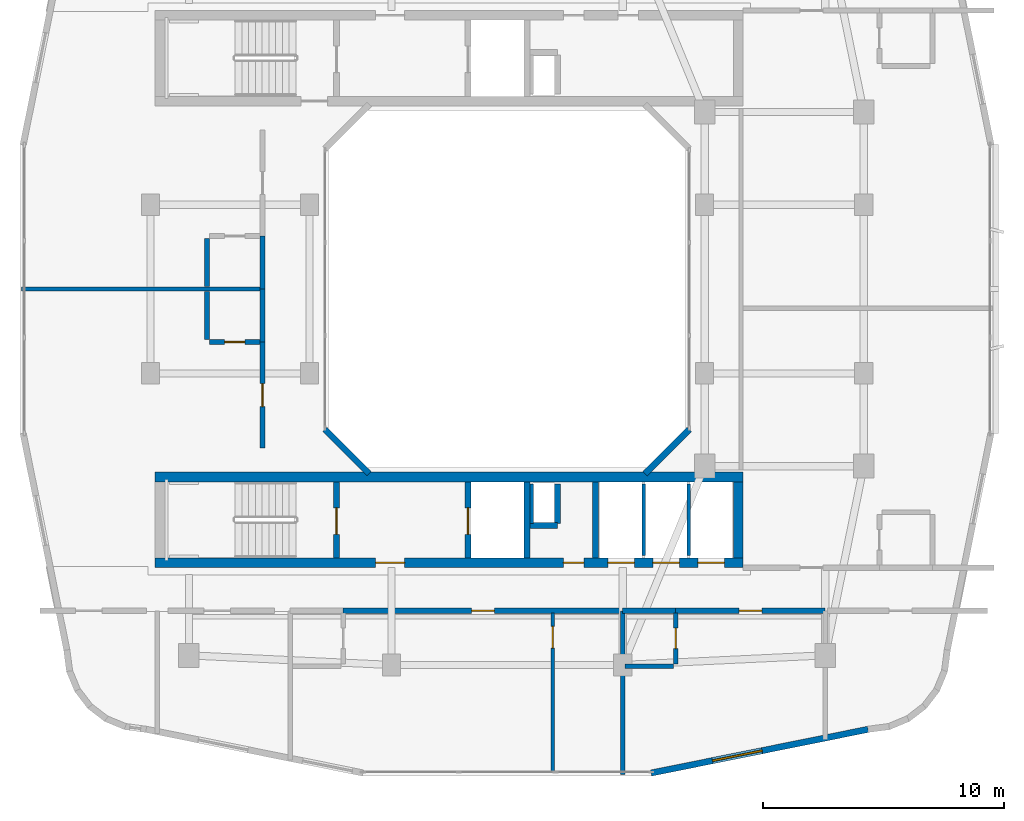
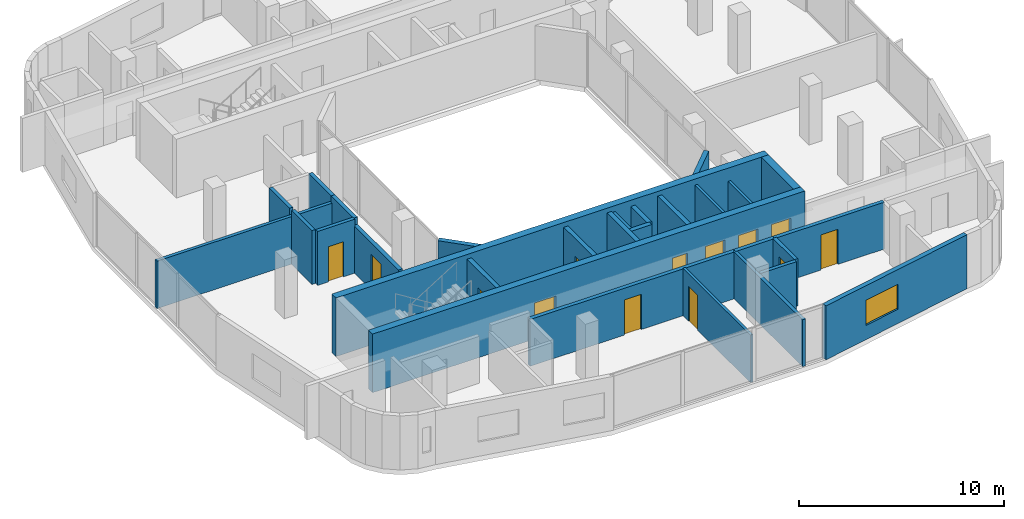
# One storey, part 7 of 14: 29 walls, 13 doors, 1 window, 14 openings.
"""IFC4 building model written with IfcOpenShell, lengths in metres."""

from ifc_helpers import new_model, si_unit, derived_unit, direction, frame, frame_2d, origin, place, context, subcontext, project, spatial, rectangle, extrude, material, layer, layer_set, type_object, element, fill, save


model = new_model("IFC4")

# Units and contexts
model_context = context("Model", 3, precision=1e-05, world=origin(), true_north=direction((0.0, 1.0)))
body_context = subcontext(model_context, "Body", "Model", "MODEL_VIEW")
ifc_project = project(units=[si_unit("LENGTHUNIT", "METRE"), si_unit("AREAUNIT", "SQUARE_METRE"), si_unit("VOLUMEUNIT", "CUBIC_METRE"), si_unit("PLANEANGLEUNIT", "RADIAN"), si_unit("MASSUNIT", "GRAM", prefix="KILO"), derived_unit("THERMALTRANSMITTANCEUNIT", [(si_unit("POWERUNIT", "WATT"), 1), (si_unit("LENGTHUNIT", "METRE"), -2), (si_unit("THERMODYNAMICTEMPERATUREUNIT", "KELVIN"), -1)])], contexts=[model_context])

# Site, building, storey
site_placement = place(None, origin())
site = spatial("IfcSite", under=ifc_project, at=site_placement, CompositionType="ELEMENT")
building_placement = place(site_placement, origin())
building = spatial("IfcBuilding", under=site, at=building_placement, Name="Kivonza Crest Hotel", CompositionType="ELEMENT")
storey_placement = place(building_placement, frame((0.0, 0.0, 162.5)))
storey = spatial("IfcBuildingStorey", under=building, at=storey_placement, Name="L44", CompositionType="ELEMENT", Elevation=162.5)

# Walls
ifc_material_1 = material(Name="High-density acoustic masonry inter-tenancy wall", Category="masonry")
ifc_layer_1 = layer(ifc_material_1, 0.179931640625)
ifc_layer_set_1 = layer_set([ifc_layer_1], Name="High-density acoustic masonry inter-tenancy wall")
wall_type_1 = type_object("IfcWallType", Name="WL-ACOU-180", PredefinedType="SOLIDWALL", material=ifc_layer_set_1)
wall_1_placement = place(storey_placement, frame((25.800048828125, 4.860107421875, 0.0), z_axis=(0.0, 0.0, 1.0), x_axis=(0.0, 1.0, 0.0)))
element("IfcWall", 1, at=wall_1_placement, inside=storey, type_object=wall_type_1, Name="L44 interior partition WA-L44-T1S-DIV2", PredefinedType="SOLIDWALL", context=body_context, shape_type="SweptSolid", body=[
    extrude(rectangle(XDim=6.789794921875, YDim=0.179931640625, at=frame_2d((3.39501953125, 0.0))), origin(), (0.0, 0.0, 1.0), 2.794921875),
])
wall_2_placement = place(storey_placement, frame((0.860107421875, 25.0, 0.0), z_axis=(0.0, 0.0, 1.0), x_axis=(1.0, 0.0, 0.0)))
element("IfcWall", 2, at=wall_2_placement, inside=storey, type_object=wall_type_1, Name="L44 interior partition WA-L44-T1W-DIV1", PredefinedType="SOLIDWALL", context=body_context, shape_type="SweptSolid", body=[
    extrude(rectangle(XDim=9.989990234375, YDim=0.179931640625, at=frame_2d((4.9951171875, 0.0))), origin(), (0.0, 0.0, 1.0), 2.8349609375),
])

# Wall, opening, door
ifc_material_2 = material(Name="Autoclaved aerated concrete blockwork", Category="masonry")
ifc_layer_2 = layer(ifc_material_2, 0.219970703125)
ifc_layer_set_2 = layer_set([ifc_layer_2], Name="Autoclaved aerated concrete blockwork")
wall_type_2 = type_object("IfcWallType", Name="WL-ACOU-220", PredefinedType="SOLIDWALL", material=ifc_layer_set_2)
wall_3_placement = place(storey_placement, frame((14.199951171875, 11.64990234375, 0.0), z_axis=(0.0, 0.0, 1.0), x_axis=(1.0, 0.0, 0.0)))
wall_3 = element("IfcWall", 3, at=wall_3_placement, inside=storey, type_object=wall_type_2, Name="L44 interior partition WA-L44-S05-MCORR", PredefinedType="SOLIDWALL", context=body_context, shape_type="SweptSolid", body=[
    extrude(rectangle(XDim=11.60009765625, YDim=0.219970703125, at=frame_2d((5.800048828125, 0.0))), origin(), (0.0, 0.0, 1.0), 2.794921875),
])
opening_1_placement = place(wall_3_placement, frame((5.324951171875, 0.0, 0.0)))
opening_1 = element("IfcOpeningElement", 4, at=opening_1_placement, cuts=wall_3, Name="Opening DU-60", PredefinedType="OPENING", context=body_context, shape_type="SweptSolid", body=[
    extrude(rectangle(XDim=0.949951171875, YDim=2.10009765625, at=frame_2d((0.47509765625, 1.050048828125))), frame((0.0, 0.1201171875, 0.0), z_axis=(0.0, -1.0, 0.0), x_axis=(1.0, 0.0, 0.0)), (0.0, 0.0, 1.0), 0.239990234375),
])
ifc_material_3 = material(Name="Hardwood timber oak", Category="wood")
door_type_1 = type_object("IfcDoorType", Name="DR-UNIT-950", OperationType="NOTDEFINED", PredefinedType="DOOR", material=ifc_material_3)
door_1_placement = place(opening_1_placement, frame((0.949951171875, 0.0, 0.0), z_axis=(0.0, 0.0, 1.0), x_axis=(-1.0, 0.0, 0.0)))
door_1 = element("IfcDoor", 5, at=door_1_placement, inside=storey, type_object=door_type_1, Name="L44 S05 guest unit entrance fire door", OperationType="SINGLE_SWING_LEFT", OverallHeight=2.10009765625, OverallWidth=0.949951171875, PredefinedType="DOOR", context=body_context, shape_type="SweptSolid", body=[
    extrude(rectangle(XDim=0.949951171875, YDim=2.10009765625, at=frame_2d((0.47509765625, 1.050048828125))), frame((0.0, 0.02490234375, 0.0), z_axis=(0.0, -1.0, 0.0), x_axis=(1.0, 0.0, 0.0)), (0.0, 0.0, 1.0), 0.050048828125),
])
fill(opening_1, door_1)

# Wall
wall_4_placement = place(storey_placement, frame((25.800048828125, 11.64990234375, 0.0), z_axis=(0.0, 0.0, 1.0), x_axis=(1.0, 0.0, 0.0)))
element("IfcWall", 6, at=wall_4_placement, inside=storey, type_object=wall_type_2, Name="L44 interior partition WA-L44-S06-BCORR", PredefinedType="SOLIDWALL", context=body_context, shape_type="SweptSolid", body=[
    extrude(rectangle(XDim=2.199951171875, YDim=0.219970703125, at=frame_2d((1.10009765625, 0.0))), origin(), (0.0, 0.0, 1.0), 2.794921875),
])

# Wall, opening, door
wall_5_placement = place(storey_placement, frame((28.0, 11.64990234375, 0.0), z_axis=(0.0, 0.0, 1.0), x_axis=(1.0, 0.0, 0.0)))
wall_5 = element("IfcWall", 7, at=wall_5_placement, inside=storey, type_object=wall_type_2, Name="L44 interior partition WA-L44-S06-MCORR", PredefinedType="SOLIDWALL", context=body_context, shape_type="SweptSolid", body=[
    extrude(rectangle(XDim=6.199951171875, YDim=0.219970703125, at=frame_2d((3.10009765625, 0.0))), origin(), (0.0, 0.0, 1.0), 2.794921875),
])
opening_2_placement = place(wall_5_placement, frame((2.625, 0.0, 0.0)))
opening_2 = element("IfcOpeningElement", 8, at=opening_2_placement, cuts=wall_5, Name="Opening DU-60", PredefinedType="OPENING", context=body_context, shape_type="SweptSolid", body=[
    extrude(rectangle(XDim=0.949951171875, YDim=2.10009765625, at=frame_2d((0.47509765625, 1.050048828125))), frame((0.0, 0.1201171875, 0.0), z_axis=(0.0, -1.0, 0.0), x_axis=(1.0, 0.0, 0.0)), (0.0, 0.0, 1.0), 0.239990234375),
])
door_2_placement = place(opening_2_placement, frame((0.949951171875, 0.0, 0.0), z_axis=(0.0, 0.0, 1.0), x_axis=(-1.0, 0.0, 0.0)))
door_2 = element("IfcDoor", 9, at=door_2_placement, inside=storey, type_object=door_type_1, Name="L44 S06 guest unit entrance fire door", OperationType="SINGLE_SWING_RIGHT", OverallHeight=2.10009765625, OverallWidth=0.949951171875, PredefinedType="DOOR", context=body_context, shape_type="SweptSolid", body=[
    extrude(rectangle(XDim=0.949951171875, YDim=2.10009765625, at=frame_2d((0.47509765625, 1.050048828125))), frame((0.0, 0.02490234375, 0.0), z_axis=(0.0, -1.0, 0.0), x_axis=(1.0, 0.0, 0.0)), (0.0, 0.0, 1.0), 0.050048828125),
])
fill(opening_2, door_2)

# Wall
wall_6_placement = place(storey_placement, frame((10.85009765625, 22.800048828125, 0.0), z_axis=(0.0, 0.0, 1.0), x_axis=(0.0, 1.0, 0.0)))
element("IfcWall", 10, at=wall_6_placement, inside=storey, type_object=wall_type_2, Name="L44 interior partition WA-L44-W07-BCORR", PredefinedType="SOLIDWALL", context=body_context, shape_type="SweptSolid", body=[
    extrude(rectangle(XDim=2.199951171875, YDim=0.219970703125, at=frame_2d((1.10009765625, 0.0))), origin(), (0.0, 0.0, 1.0), 3.219970703125),
])

# Wall, opening, door
wall_7_placement = place(storey_placement, frame((10.85009765625, 18.39990234375, 0.0), z_axis=(0.0, 0.0, 1.0), x_axis=(0.0, 1.0, 0.0)))
wall_7 = element("IfcWall", 11, at=wall_7_placement, inside=storey, type_object=wall_type_2, Name="L44 interior partition WA-L44-W07-MCORR", PredefinedType="SOLIDWALL", context=body_context, shape_type="SweptSolid", body=[
    extrude(rectangle(XDim=4.400146484375, YDim=0.219970703125, at=frame_2d((2.2001953125, 0.0))), origin(), (0.0, 0.0, 1.0), 2.794921875),
])
opening_3_placement = place(wall_7_placement, frame((1.72509765625, 0.0, 0.0)))
opening_3 = element("IfcOpeningElement", 12, at=opening_3_placement, cuts=wall_7, Name="Opening DU-60", PredefinedType="OPENING", context=body_context, shape_type="SweptSolid", body=[
    extrude(rectangle(XDim=0.949951171875, YDim=2.10009765625, at=frame_2d((0.47509765625, 1.050048828125))), frame((0.0, 0.1201171875, 0.0), z_axis=(0.0, -1.0, 0.0), x_axis=(1.0, 0.0, 0.0)), (0.0, 0.0, 1.0), 0.239990234375),
])
door_3_placement = place(opening_3_placement, origin())
door_3 = element("IfcDoor", 13, at=door_3_placement, inside=storey, type_object=door_type_1, Name="L44 W07 guest unit entrance fire door", OperationType="SINGLE_SWING_LEFT", OverallHeight=2.10009765625, OverallWidth=0.949951171875, PredefinedType="DOOR", context=body_context, shape_type="SweptSolid", body=[
    extrude(rectangle(XDim=0.949951171875, YDim=2.10009765625, at=frame_2d((0.47509765625, 1.050048828125))), frame((0.0, 0.02490234375, 0.0), z_axis=(0.0, -1.0, 0.0), x_axis=(1.0, 0.0, 0.0)), (0.0, 0.0, 1.0), 0.050048828125),
])
fill(opening_3, door_3)

# Wall
wall_8_placement = place(storey_placement, frame((10.85009765625, 25.0, 0.0), z_axis=(0.0, 0.0, 1.0), x_axis=(0.0, 1.0, 0.0)))
element("IfcWall", 14, at=wall_8_placement, inside=storey, type_object=wall_type_2, Name="L44 interior partition WA-L44-W08-BCORR", PredefinedType="SOLIDWALL", context=body_context, shape_type="SweptSolid", body=[
    extrude(rectangle(XDim=2.199951171875, YDim=0.219970703125, at=frame_2d((1.10009765625, 0.0))), origin(), (0.0, 0.0, 1.0), 3.219970703125),
])

# Wall, openings, doors
ifc_material_4 = material(Name="Concrete C50/60", Category="concrete")
ifc_layer_3 = layer(ifc_material_4, 0.39990234375)
ifc_layer_set_3 = layer_set([ifc_layer_3], Name="Concrete C50/60")
wall_type_3 = type_object("IfcWallType", Name="WL-CORE-400", PredefinedType="SHEAR", material=ifc_layer_set_3)
wall_9_placement = place(storey_placement, frame((6.39990234375, 13.639892578125, 0.0), z_axis=(0.0, 0.0, 1.0), x_axis=(1.0, 0.0, 0.0)))
wall_9 = element("IfcWall", 15, at=wall_9_placement, inside=storey, type_object=wall_type_3, Name="Core wall T1-S South L44", PredefinedType="SHEAR", context=body_context, shape_type="SweptSolid", body=[
    extrude(rectangle(XDim=24.400146484375, YDim=0.39990234375, at=frame_2d((12.2001953125, 0.0))), origin(), (0.0, 0.0, 1.0), 3.5),
])
opening_4_placement = place(wall_9_placement, frame((9.14990234375, 0.0, 0.0)))
opening_4 = element("IfcOpeningElement", 16, at=opening_4_placement, cuts=wall_9, Name="Opening DF-60", PredefinedType="OPENING", context=body_context, shape_type="SweptSolid", body=[
    extrude(rectangle(XDim=1.199951171875, YDim=2.14990234375, at=frame_2d((0.60009765625, 1.074951171875))), frame((0.0, 0.2099609375, 0.0), z_axis=(0.0, -1.0, 0.0), x_axis=(1.0, 0.0, 0.0)), (0.0, 0.0, 1.0), 0.419921875),
])
opening_5_placement = place(wall_9_placement, frame((16.93994140625, 0.0, 0.0)))
opening_5 = element("IfcOpeningElement", 17, at=opening_5_placement, cuts=wall_9, Name="Opening DF-60R", PredefinedType="OPENING", context=body_context, shape_type="SweptSolid", body=[
    extrude(rectangle(XDim=0.85009765625, YDim=2.10009765625, at=frame_2d((0.425048828125, 1.050048828125))), frame((0.0, 0.2099609375, 0.0), z_axis=(0.0, -1.0, 0.0), x_axis=(1.0, 0.0, 0.0)), (0.0, 0.0, 1.0), 0.419921875),
])
opening_6_placement = place(wall_9_placement, frame((18.782958984375, 0.0, 0.0)))
opening_6 = element("IfcOpeningElement", 18, at=opening_6_placement, cuts=wall_9, Name="Opening LD-120", PredefinedType="OPENING", context=body_context, shape_type="SweptSolid", body=[
    extrude(rectangle(XDim=1.10009765625, YDim=2.14990234375, at=frame_2d((0.550048828125, 1.074951171875))), frame((0.0, 0.2099609375, 0.0), z_axis=(0.0, -1.0, 0.0), x_axis=(1.0, 0.0, 0.0)), (0.0, 0.0, 1.0), 0.419921875),
])
opening_7_placement = place(wall_9_placement, frame((20.64990234375, 0.0, 0.0)))
opening_7 = element("IfcOpeningElement", 19, at=opening_7_placement, cuts=wall_9, Name="Opening LD-120", PredefinedType="OPENING", context=body_context, shape_type="SweptSolid", body=[
    extrude(rectangle(XDim=1.10009765625, YDim=2.14990234375, at=frame_2d((0.550048828125, 1.074951171875))), frame((0.0, 0.2099609375, 0.0), z_axis=(0.0, -1.0, 0.0), x_axis=(1.0, 0.0, 0.0)), (0.0, 0.0, 1.0), 0.419921875),
])
opening_8_placement = place(wall_9_placement, frame((22.51708984375, 0.0, 0.0)))
opening_8 = element("IfcOpeningElement", 20, at=opening_8_placement, cuts=wall_9, Name="Opening LD-120", PredefinedType="OPENING", context=body_context, shape_type="SweptSolid", body=[
    extrude(rectangle(XDim=1.10009765625, YDim=2.14990234375, at=frame_2d((0.550048828125, 1.074951171875))), frame((0.0, 0.2099609375, 0.0), z_axis=(0.0, -1.0, 0.0), x_axis=(1.0, 0.0, 0.0)), (0.0, 0.0, 1.0), 0.419921875),
])
door_type_2 = type_object("IfcDoorType", Name="DR-FD60-1200", OperationType="NOTDEFINED", PredefinedType="DOOR", material=ifc_material_3)
door_4_placement = place(opening_4_placement, frame((1.199951171875, 0.0, 0.0), z_axis=(0.0, 0.0, 1.0), x_axis=(-1.0, 0.0, 0.0)))
door_4 = element("IfcDoor", 21, at=door_4_placement, inside=storey, type_object=door_type_2, Name="L44 T1-S firefighting lobby fire door", OperationType="SINGLE_SWING_LEFT", OverallHeight=2.14990234375, OverallWidth=1.199951171875, PredefinedType="DOOR", context=body_context, shape_type="SweptSolid", body=[
    extrude(rectangle(XDim=1.199951171875, YDim=2.14990234375, at=frame_2d((0.60009765625, 1.074951171875))), frame((0.0, 0.02490234375, 0.0), z_axis=(0.0, -1.0, 0.0), x_axis=(1.0, 0.0, 0.0)), (0.0, 0.0, 1.0), 0.050048828125),
])
fill(opening_4, door_4)
door_type_3 = type_object("IfcDoorType", Name="DR-FD60-850", OperationType="NOTDEFINED", PredefinedType="DOOR", material=ifc_material_3)
door_5_placement = place(opening_5_placement, frame((0.85009765625, 0.0, 0.0), z_axis=(0.0, 0.0, 1.0), x_axis=(-1.0, 0.0, 0.0)))
door_5 = element("IfcDoor", 22, at=door_5_placement, inside=storey, type_object=door_type_3, Name="L44 T1-S core room door", OperationType="SINGLE_SWING_RIGHT", OverallHeight=2.10009765625, OverallWidth=0.85009765625, PredefinedType="DOOR", context=body_context, shape_type="SweptSolid", body=[
    extrude(rectangle(XDim=0.85009765625, YDim=2.10009765625, at=frame_2d((0.425048828125, 1.050048828125))), frame((0.0, 0.02490234375, 0.0), z_axis=(0.0, -1.0, 0.0), x_axis=(1.0, 0.0, 0.0)), (0.0, 0.0, 1.0), 0.050048828125),
])
fill(opening_5, door_5)
ifc_material_5 = material(Name="Stainless steel", Category="steel")
door_type_4 = type_object("IfcDoorType", Name="DR-LD120-1100", OperationType="NOTDEFINED", PredefinedType="DOOR", material=ifc_material_5)
door_6_placement = place(opening_6_placement, frame((1.10009765625, 0.0, 0.0), z_axis=(0.0, 0.0, 1.0), x_axis=(-1.0, 0.0, 0.0)))
door_6 = element("IfcDoor", 23, at=door_6_placement, inside=storey, type_object=door_type_4, Name="L44 PL-T1-H1 passenger lift sliding landing door", OperationType="DOUBLE_DOOR_SLIDING", OverallHeight=2.14990234375, OverallWidth=1.10009765625, PredefinedType="DOOR", context=body_context, shape_type="SweptSolid", body=[
    extrude(rectangle(XDim=1.10009765625, YDim=2.14990234375, at=frame_2d((0.550048828125, 1.074951171875))), frame((0.0, 0.02490234375, 0.0), z_axis=(0.0, -1.0, 0.0), x_axis=(1.0, 0.0, 0.0)), (0.0, 0.0, 1.0), 0.050048828125),
])
fill(opening_6, door_6)
door_7_placement = place(opening_7_placement, frame((1.10009765625, 0.0, 0.0), z_axis=(0.0, 0.0, 1.0), x_axis=(-1.0, 0.0, 0.0)))
door_7 = element("IfcDoor", 24, at=door_7_placement, inside=storey, type_object=door_type_4, Name="L44 PL-T1-H2 passenger lift sliding landing door", OperationType="DOUBLE_DOOR_SLIDING", OverallHeight=2.14990234375, OverallWidth=1.10009765625, PredefinedType="DOOR", context=body_context, shape_type="SweptSolid", body=[
    extrude(rectangle(XDim=1.10009765625, YDim=2.14990234375, at=frame_2d((0.550048828125, 1.074951171875))), frame((0.0, 0.02490234375, 0.0), z_axis=(0.0, -1.0, 0.0), x_axis=(1.0, 0.0, 0.0)), (0.0, 0.0, 1.0), 0.050048828125),
])
fill(opening_7, door_7)
door_8_placement = place(opening_8_placement, frame((1.10009765625, 0.0, 0.0), z_axis=(0.0, 0.0, 1.0), x_axis=(-1.0, 0.0, 0.0)))
door_8 = element("IfcDoor", 25, at=door_8_placement, inside=storey, type_object=door_type_4, Name="L44 PL-T1-H3 passenger lift sliding landing door", OperationType="DOUBLE_DOOR_SLIDING", OverallHeight=2.14990234375, OverallWidth=1.10009765625, PredefinedType="DOOR", context=body_context, shape_type="SweptSolid", body=[
    extrude(rectangle(XDim=1.10009765625, YDim=2.14990234375, at=frame_2d((0.550048828125, 1.074951171875))), frame((0.0, 0.02490234375, 0.0), z_axis=(0.0, -1.0, 0.0), x_axis=(1.0, 0.0, 0.0)), (0.0, 0.0, 1.0), 0.050048828125),
])
fill(opening_8, door_8)

# Walls
wall_10_placement = place(storey_placement, frame((6.39990234375, 17.199951171875, 0.0), z_axis=(0.0, 0.0, 1.0), x_axis=(1.0, 0.0, 0.0)))
element("IfcWall", 26, at=wall_10_placement, inside=storey, type_object=wall_type_3, Name="Core wall T1-S North L44", PredefinedType="SHEAR", context=body_context, shape_type="SweptSolid", body=[
    extrude(rectangle(XDim=24.400146484375, YDim=0.39990234375, at=frame_2d((12.2001953125, 0.0))), origin(), (0.0, 0.0, 1.0), 3.5),
])
wall_11_placement = place(storey_placement, frame((30.60009765625, 13.840087890625, 0.0), z_axis=(0.0, 0.0, 1.0), x_axis=(0.0, 1.0, 0.0)))
element("IfcWall", 27, at=wall_11_placement, inside=storey, type_object=wall_type_3, Name="Core wall T1-S East L44", PredefinedType="SHEAR", context=body_context, shape_type="SweptSolid", body=[
    extrude(rectangle(XDim=3.159912109375, YDim=0.39990234375, at=frame_2d((1.580078125, 0.0))), origin(), (0.0, 0.0, 1.0), 3.5),
])

# Wall, opening, window
ifc_material_6 = material(Name="Precast concrete C40/50", Category="concrete")
ifc_layer_4 = layer(ifc_material_6, 0.260009765625)
ifc_layer_set_4 = layer_set([ifc_layer_4], Name="Precast concrete C40/50")
wall_type_4 = type_object("IfcWallType", Name="WL-EXT-260", PredefinedType="STANDARD", material=ifc_layer_set_4)
wall_12_placement = place(storey_placement, frame((26.97998046875, 4.916015625, 0.0), z_axis=(0.0, 0.0, 1.0), x_axis=(0.980315963543, 0.197435082048, 0.0)))
wall_12 = element("IfcWall", 28, at=wall_12_placement, inside=storey, type_object=wall_type_4, Name="L44 T1 exterior insulated wall 9", PredefinedType="STANDARD", context=body_context, shape_type="SweptSolid", body=[
    extrude(rectangle(XDim=9.1826171875, YDim=0.260009765625, at=frame_2d((4.59130859375, 0.0))), origin(), (0.0, 0.0, 1.0), 3.219970703125),
])
opening_9_placement = place(wall_12_placement, frame((2.594970703125, 0.0, 0.85009765625)))
opening_9 = element("IfcOpeningElement", 29, at=opening_9_placement, cuts=wall_12, Name="Opening WN-04", PredefinedType="OPENING", context=body_context, shape_type="SweptSolid", body=[
    extrude(rectangle(XDim=2.10009765625, YDim=1.5, at=frame_2d((1.050048828125, 0.75))), frame((0.0, 0.14013671875, 0.0), z_axis=(0.0, -1.0, 0.0), x_axis=(1.0, 0.0, 0.0)), (0.0, 0.0, 1.0), 0.280029296875),
])
ifc_material_7 = material(Name="Thermally broken bronze aluminium and low-E double glazing", Category="aluminium")
window_type = type_object("IfcWindowType", Name="WN-210x150", PartitioningType="DOUBLE_PANEL_VERTICAL", PredefinedType="WINDOW", material=ifc_material_7)
window_placement = place(opening_9_placement, origin())
window = element("IfcWindow", 30, at=window_placement, inside=storey, type_object=window_type, Name="L44 T1 facade window 9", OverallHeight=1.5, OverallWidth=2.10009765625, PartitioningType="SINGLE_PANEL", PredefinedType="WINDOW", context=body_context, shape_type="SweptSolid", body=[
    extrude(rectangle(XDim=2.10009765625, YDim=1.5, at=frame_2d((1.050048828125, 0.75))), frame((0.0, 0.030029296875, 0.0), z_axis=(0.0, -1.0, 0.0), x_axis=(1.0, 0.0, 0.0)), (0.0, 0.0, 1.0), 0.06005859375),
])
fill(opening_9, window)

# Walls
for number, where, z_axis, x_axis, name in (
    (31, (26.721923828125, 17.337890625, 0.0), (0.0, 0.0, 1.0), (0.707059717605, 0.707153841636, 0.0), "L44 T1 light-well exterior wall 2"),
    (32, (13.444091796875, 19.172119140625, 0.0), (0.0, 0.0, 1.0), (0.707059717605, -0.707153841636, 0.0), "L44 T1 light-well exterior wall 8"),
):
    element("IfcWall", number, at=place(storey_placement, frame(where, z_axis=z_axis, x_axis=x_axis)), inside=storey, type_object=wall_type_4, Name=name, PredefinedType="STANDARD", context=body_context, shape_type="SweptSolid", body=[
        extrude(rectangle(XDim=2.59375, YDim=0.260009765625, at=frame_2d((1.296875, 0.0))), origin(), (0.0, 0.0, 1.0), 3.219970703125),
    ])
ifc_material_8 = material(Name="Concrete blockwork fire-compartment wall", Category="masonry")
ifc_layer_5 = layer(ifc_material_8, 0.25)
ifc_layer_set_5 = layer_set([ifc_layer_5], Name="Concrete blockwork fire-compartment wall")
wall_type_5 = type_object("IfcWallType", Name="WL-FIRE-250", PredefinedType="SOLIDWALL", material=ifc_layer_set_5)
wall_13_placement = place(storey_placement, frame((23.10009765625, 15.280029296875, 0.0), z_axis=(0.0, 0.0, 1.0), x_axis=(0.0, 1.0, 0.0)))
element("IfcWall", 33, at=wall_13_placement, inside=storey, type_object=wall_type_5, Name="L44 interior partition WA-L44-T1-S-MEPR-E", PredefinedType="SOLIDWALL", context=body_context, shape_type="SweptSolid", body=[
    extrude(rectangle(XDim=1.619873046875, YDim=0.25, at=frame_2d((0.81005859375, 0.0))), origin(), (0.0, 0.0, 1.0), 3.219970703125),
])
wall_14_placement = place(storey_placement, frame((21.949951171875, 15.179931640625, 0.0), z_axis=(0.0, 0.0, 1.0), x_axis=(1.0, 0.0, 0.0)))
element("IfcWall", 34, at=wall_14_placement, inside=storey, type_object=wall_type_5, Name="L44 interior partition WA-L44-T1-S-MEPR-H", PredefinedType="SOLIDWALL", context=body_context, shape_type="SweptSolid", body=[
    extrude(rectangle(XDim=1.150146484375, YDim=0.25, at=frame_2d((0.5751953125, 0.0))), origin(), (0.0, 0.0, 1.0), 3.219970703125),
])
ifc_material_9 = material(Name="Twin-stud acoustic gypsum board partition", Category="gypsum")
ifc_layer_6 = layer(ifc_material_9, 0.14990234375)
ifc_layer_set_6 = layer_set([ifc_layer_6], Name="Twin-stud acoustic gypsum board partition")
wall_type_6 = type_object("IfcWallType", Name="WL-PART-150", PredefinedType="PARTITIONING", material=ifc_layer_set_6)
wall_15_placement = place(storey_placement, frame((22.030029296875, 15.280029296875, 0.0), z_axis=(0.0, 0.0, 1.0), x_axis=(0.0, 1.0, 0.0)))
element("IfcWall", 35, at=wall_15_placement, inside=storey, type_object=wall_type_6, Name="L44 interior partition WA-L44-T1-S-MEPR-W", PredefinedType="PARTITIONING", context=body_context, shape_type="SweptSolid", body=[
    extrude(rectangle(XDim=1.619873046875, YDim=0.14990234375, at=frame_2d((0.81005859375, 0.0))), origin(), (0.0, 0.0, 1.0), 3.219970703125),
])
wall_16_placement = place(storey_placement, frame((26.6669921875, 13.93994140625, 0.0), z_axis=(0.0, 0.0, 1.0), x_axis=(0.0, 1.0, 0.0)))
element("IfcWall", 36, at=wall_16_placement, inside=storey, type_object=wall_type_6, Name="L44 interior partition WP-L44-T1-S-BSH-1", PredefinedType="PARTITIONING", context=body_context, shape_type="SweptSolid", body=[
    extrude(rectangle(XDim=2.9599609375, YDim=0.14990234375, at=frame_2d((1.47998046875, 0.0))), origin(), (0.0, 0.0, 1.0), 3.219970703125),
])
wall_17_placement = place(storey_placement, frame((28.532958984375, 13.93994140625, 0.0), z_axis=(0.0, 0.0, 1.0), x_axis=(0.0, 1.0, 0.0)))
element("IfcWall", 37, at=wall_17_placement, inside=storey, type_object=wall_type_6, Name="L44 interior partition WP-L44-T1-S-BSH-2", PredefinedType="PARTITIONING", context=body_context, shape_type="SweptSolid", body=[
    extrude(rectangle(XDim=2.9599609375, YDim=0.14990234375, at=frame_2d((1.47998046875, 0.0))), origin(), (0.0, 0.0, 1.0), 2.794921875),
])

# Wall, opening, door
wall_18_placement = place(storey_placement, frame((22.89990234375, 4.9599609375, 0.0), z_axis=(0.0, 0.0, 1.0), x_axis=(0.0, 1.0, 0.0)))
wall_18 = element("IfcWall", 38, at=wall_18_placement, inside=storey, type_object=wall_type_6, Name="L44 interior partition WP-L44-S05-SPSP", PredefinedType="PARTITIONING", context=body_context, shape_type="SweptSolid", body=[
    extrude(rectangle(XDim=6.590087890625, YDim=0.14990234375, at=frame_2d((3.294921875, 0.0))), origin(), (0.0, 0.0, 1.0), 2.8349609375),
])
opening_10_placement = place(wall_18_placement, frame((5.139892578125, 0.0, 0.0)))
opening_10 = element("IfcOpeningElement", 39, at=opening_10_placement, cuts=wall_18, Name="Opening DI-90", PredefinedType="OPENING", context=body_context, shape_type="SweptSolid", body=[
    extrude(rectangle(XDim=0.89990234375, YDim=2.10009765625, at=frame_2d((0.449951171875, 1.050048828125))), frame((0.0, 0.0849609375, 0.0), z_axis=(0.0, -1.0, 0.0), x_axis=(1.0, 0.0, 0.0)), (0.0, 0.0, 1.0), 0.169921875),
])
door_type_5 = type_object("IfcDoorType", Name="DR-INT-900", OperationType="NOTDEFINED", PredefinedType="DOOR", material=ifc_material_3)
door_9_placement = place(opening_10_placement, origin())
door_9 = element("IfcDoor", 40, at=door_9_placement, inside=storey, type_object=door_type_5, Name="L44 S05 suite bedroom door", OperationType="SINGLE_SWING_RIGHT", OverallHeight=2.10009765625, OverallWidth=0.89990234375, PredefinedType="DOOR", context=body_context, shape_type="SweptSolid", body=[
    extrude(rectangle(XDim=0.89990234375, YDim=2.10009765625, at=frame_2d((0.449951171875, 1.050048828125))), frame((0.0, 0.02490234375, 0.0), z_axis=(0.0, -1.0, 0.0), x_axis=(1.0, 0.0, 0.0)), (0.0, 0.0, 1.0), 0.050048828125),
])
fill(opening_10, door_9)

ifc_material_10 = material(Name="Moisture-resistant plumbing chase partition wall", Category="gypsum")
ifc_layer_7 = layer(ifc_material_10, 0.199951171875)
ifc_layer_set_7 = layer_set([ifc_layer_7], Name="Moisture-resistant plumbing chase partition wall")
wall_type_7 = type_object("IfcWallType", Name="WL-PLUMB-200", PredefinedType="PLUMBINGWALL", material=ifc_layer_set_7)
wall_19_placement = place(storey_placement, frame((28.0, 9.449951171875, 0.0), z_axis=(0.0, 0.0, 1.0), x_axis=(0.0, 1.0, 0.0)))
wall_19 = element("IfcWall", 41, at=wall_19_placement, inside=storey, type_object=wall_type_7, Name="L44 interior partition WW-L44-S06-BV", PredefinedType="PLUMBINGWALL", context=body_context, shape_type="SweptSolid", body=[
    extrude(rectangle(XDim=2.10009765625, YDim=0.199951171875, at=frame_2d((1.050048828125, 0.0))), origin(), (0.0, 0.0, 1.0), 2.8349609375),
])
opening_11_placement = place(wall_19_placement, frame((0.625, 0.0, 0.0)))
opening_11 = element("IfcOpeningElement", 42, at=opening_11_placement, cuts=wall_19, Name="Opening DI-85", PredefinedType="OPENING", context=body_context, shape_type="SweptSolid", body=[
    extrude(rectangle(XDim=0.85009765625, YDim=2.10009765625, at=frame_2d((0.425048828125, 1.050048828125))), frame((0.0, 0.10986328125, 0.0), z_axis=(0.0, -1.0, 0.0), x_axis=(1.0, 0.0, 0.0)), (0.0, 0.0, 1.0), 0.219970703125),
])
door_type_6 = type_object("IfcDoorType", Name="DR-INT-850", OperationType="NOTDEFINED", PredefinedType="DOOR", material=ifc_material_3)
door_10_placement = place(opening_11_placement, frame((0.85009765625, 0.0, 0.0), z_axis=(0.0, 0.0, 1.0), x_axis=(-1.0, 0.0, 0.0)))
door_10 = element("IfcDoor", 43, at=door_10_placement, inside=storey, type_object=door_type_6, Name="L44 S06 en-suite bathroom door", OperationType="SINGLE_SWING_LEFT", OverallHeight=2.10009765625, OverallWidth=0.85009765625, PredefinedType="DOOR", context=body_context, shape_type="SweptSolid", body=[
    extrude(rectangle(XDim=0.85009765625, YDim=2.10009765625, at=frame_2d((0.425048828125, 1.050048828125))), frame((0.0, 0.02490234375, 0.0), z_axis=(0.0, -1.0, 0.0), x_axis=(1.0, 0.0, 0.0)), (0.0, 0.0, 1.0), 0.050048828125),
])
fill(opening_11, door_10)

# Wall
wall_20_placement = place(storey_placement, frame((25.89990234375, 9.35009765625, 0.0), z_axis=(0.0, 0.0, 1.0), x_axis=(1.0, 0.0, 0.0)))
element("IfcWall", 44, at=wall_20_placement, inside=storey, type_object=wall_type_7, Name="L44 interior partition WW-L44-S06-BH", PredefinedType="PLUMBINGWALL", context=body_context, shape_type="SweptSolid", body=[
    extrude(rectangle(XDim=2.0, YDim=0.199951171875, at=frame_2d((1.0, 0.0))), origin(), (0.0, 0.0, 1.0), 2.8349609375),
])

# Wall, opening, door
wall_21_placement = place(storey_placement, frame((8.64990234375, 22.800048828125, 0.0), z_axis=(0.0, 0.0, 1.0), x_axis=(1.0, 0.0, 0.0)))
wall_21 = element("IfcWall", 45, at=wall_21_placement, inside=storey, type_object=wall_type_7, Name="L44 interior partition WW-L44-W07-BH", PredefinedType="PLUMBINGWALL", context=body_context, shape_type="SweptSolid", body=[
    extrude(rectangle(XDim=2.10009765625, YDim=0.199951171875, at=frame_2d((1.050048828125, 0.0))), origin(), (0.0, 0.0, 1.0), 3.219970703125),
])
opening_12_placement = place(wall_21_placement, frame((0.625, 0.0, 0.0)))
opening_12 = element("IfcOpeningElement", 46, at=opening_12_placement, cuts=wall_21, Name="Opening DI-85", PredefinedType="OPENING", context=body_context, shape_type="SweptSolid", body=[
    extrude(rectangle(XDim=0.85009765625, YDim=2.10009765625, at=frame_2d((0.425048828125, 1.050048828125))), frame((0.0, 0.10986328125, 0.0), z_axis=(0.0, -1.0, 0.0), x_axis=(1.0, 0.0, 0.0)), (0.0, 0.0, 1.0), 0.219970703125),
])
door_11_placement = place(opening_12_placement, frame((0.85009765625, 0.0, 0.0), z_axis=(0.0, 0.0, 1.0), x_axis=(-1.0, 0.0, 0.0)))
door_11 = element("IfcDoor", 47, at=door_11_placement, inside=storey, type_object=door_type_6, Name="L44 W07 en-suite bathroom door", OperationType="SINGLE_SWING_RIGHT", OverallHeight=2.10009765625, OverallWidth=0.85009765625, PredefinedType="DOOR", context=body_context, shape_type="SweptSolid", body=[
    extrude(rectangle(XDim=0.85009765625, YDim=2.10009765625, at=frame_2d((0.425048828125, 1.050048828125))), frame((0.0, 0.02490234375, 0.0), z_axis=(0.0, -1.0, 0.0), x_axis=(1.0, 0.0, 0.0)), (0.0, 0.0, 1.0), 0.050048828125),
])
fill(opening_12, door_11)

# Walls
for number, where, z_axis, x_axis, name in (
    (48, (8.550048828125, 22.89990234375, 0.0), (0.0, 0.0, 1.0), (0.0, 1.0, 0.0), "L44 interior partition WW-L44-W07-BV"),
    (49, (8.550048828125, 25.10009765625, 0.0), (0.0, 0.0, 1.0), (0.0, 1.0, 0.0), "L44 interior partition WW-L44-W08-BV"),
):
    element("IfcWall", number, at=place(storey_placement, frame(where, z_axis=z_axis, x_axis=x_axis)), inside=storey, type_object=wall_type_7, Name=name, PredefinedType="PLUMBINGWALL", context=body_context, shape_type="SweptSolid", body=[
        extrude(rectangle(XDim=2.0, YDim=0.199951171875, at=frame_2d((1.0, 0.0))), origin(), (0.0, 0.0, 1.0), 3.219970703125),
    ])

# Wall, opening, door
ifc_layer_8 = layer(ifc_material_4, 0.25)
ifc_layer_set_8 = layer_set([ifc_layer_8], Name="Concrete C50/60")
wall_type_8 = type_object("IfcWallType", Name="WL-SHAFT-250", PredefinedType="STANDARD", material=ifc_layer_set_8)
wall_22_placement = place(storey_placement, frame((13.925048828125, 13.840087890625, 0.0), z_axis=(0.0, 0.0, 1.0), x_axis=(0.0, 1.0, 0.0)))
wall_22 = element("IfcWall", 50, at=wall_22_placement, inside=storey, type_object=wall_type_8, Name="Core shaft wall T1-S STAIR L44", PredefinedType="STANDARD", context=body_context, shape_type="SweptSolid", body=[
    extrude(rectangle(XDim=3.159912109375, YDim=0.25, at=frame_2d((1.580078125, 0.0))), origin(), (0.0, 0.0, 1.0), 3.219970703125),
])
opening_13_placement = place(wall_22_placement, frame((0.97998046875, 0.0, 0.0)))
opening_13 = element("IfcOpeningElement", 51, at=opening_13_placement, cuts=wall_22, Name="Opening DF-120", PredefinedType="OPENING", context=body_context, shape_type="SweptSolid", body=[
    extrude(rectangle(XDim=1.10009765625, YDim=2.14990234375, at=frame_2d((0.550048828125, 1.074951171875))), frame((0.0, 0.135009765625, 0.0), z_axis=(0.0, -1.0, 0.0), x_axis=(1.0, 0.0, 0.0)), (0.0, 0.0, 1.0), 0.27001953125),
])
ifc_material_11 = material(Name="Galvanised steel", Category="steel")
door_type_7 = type_object("IfcDoorType", Name="DR-FD120-1100", OperationType="NOTDEFINED", PredefinedType="DOOR", material=ifc_material_11)
door_12_placement = place(opening_13_placement, frame((1.10009765625, 0.0, 0.0), z_axis=(0.0, 0.0, 1.0), x_axis=(-1.0, 0.0, 0.0)))
door_12 = element("IfcDoor", 52, at=door_12_placement, inside=storey, type_object=door_type_7, Name="L44 T1-S stair fire door", OperationType="SINGLE_SWING_RIGHT", OverallHeight=2.14990234375, OverallWidth=1.10009765625, PredefinedType="DOOR", context=body_context, shape_type="SweptSolid", body=[
    extrude(rectangle(XDim=1.10009765625, YDim=2.14990234375, at=frame_2d((0.550048828125, 1.074951171875))), frame((0.0, 0.02490234375, 0.0), z_axis=(0.0, -1.0, 0.0), x_axis=(1.0, 0.0, 0.0)), (0.0, 0.0, 1.0), 0.050048828125),
])
fill(opening_13, door_12)

wall_23_placement = place(storey_placement, frame((19.375, 13.840087890625, 0.0), z_axis=(0.0, 0.0, 1.0), x_axis=(0.0, 1.0, 0.0)))
wall_23 = element("IfcWall", 53, at=wall_23_placement, inside=storey, type_object=wall_type_8, Name="Core shaft wall T1-S FFL-W L44", PredefinedType="STANDARD", context=body_context, shape_type="SweptSolid", body=[
    extrude(rectangle(XDim=3.159912109375, YDim=0.25, at=frame_2d((1.580078125, 0.0))), origin(), (0.0, 0.0, 1.0), 3.219970703125),
])
opening_14_placement = place(wall_23_placement, frame((0.97998046875, 0.0, 0.0)))
opening_14 = element("IfcOpeningElement", 54, at=opening_14_placement, cuts=wall_23, Name="Opening LD-120", PredefinedType="OPENING", context=body_context, shape_type="SweptSolid", body=[
    extrude(rectangle(XDim=1.10009765625, YDim=2.14990234375, at=frame_2d((0.550048828125, 1.074951171875))), frame((0.0, 0.135009765625, 0.0), z_axis=(0.0, -1.0, 0.0), x_axis=(1.0, 0.0, 0.0)), (0.0, 0.0, 1.0), 0.27001953125),
])
door_13_placement = place(opening_14_placement, origin())
door_13 = element("IfcDoor", 55, at=door_13_placement, inside=storey, type_object=door_type_4, Name="L44 FFL-T1-S firefighting lift sliding landing door", OperationType="DOUBLE_DOOR_SLIDING", OverallHeight=2.14990234375, OverallWidth=1.10009765625, PredefinedType="DOOR", context=body_context, shape_type="SweptSolid", body=[
    extrude(rectangle(XDim=1.10009765625, YDim=2.14990234375, at=frame_2d((0.550048828125, 1.074951171875))), frame((0.0, 0.02490234375, 0.0), z_axis=(0.0, -1.0, 0.0), x_axis=(1.0, 0.0, 0.0)), (0.0, 0.0, 1.0), 0.050048828125),
])
fill(opening_14, door_13)

# Walls
for number, where, z_axis, x_axis, name in (
    (56, (21.824951171875, 13.840087890625, 0.0), (0.0, 0.0, 1.0), (0.0, 1.0, 0.0), "Core shaft wall T1-S FFL-E L44"),
    (57, (24.675048828125, 13.840087890625, 0.0), (0.0, 0.0, 1.0), (0.0, 1.0, 0.0), "Core shaft wall T1-S BANK-W L44"),
):
    element("IfcWall", number, at=place(storey_placement, frame(where, z_axis=z_axis, x_axis=x_axis)), inside=storey, type_object=wall_type_8, Name=name, PredefinedType="STANDARD", context=body_context, shape_type="SweptSolid", body=[
        extrude(rectangle(XDim=3.159912109375, YDim=0.25, at=frame_2d((1.580078125, 0.0))), origin(), (0.0, 0.0, 1.0), 3.219970703125),
    ])

save(model, "model.ifc")
